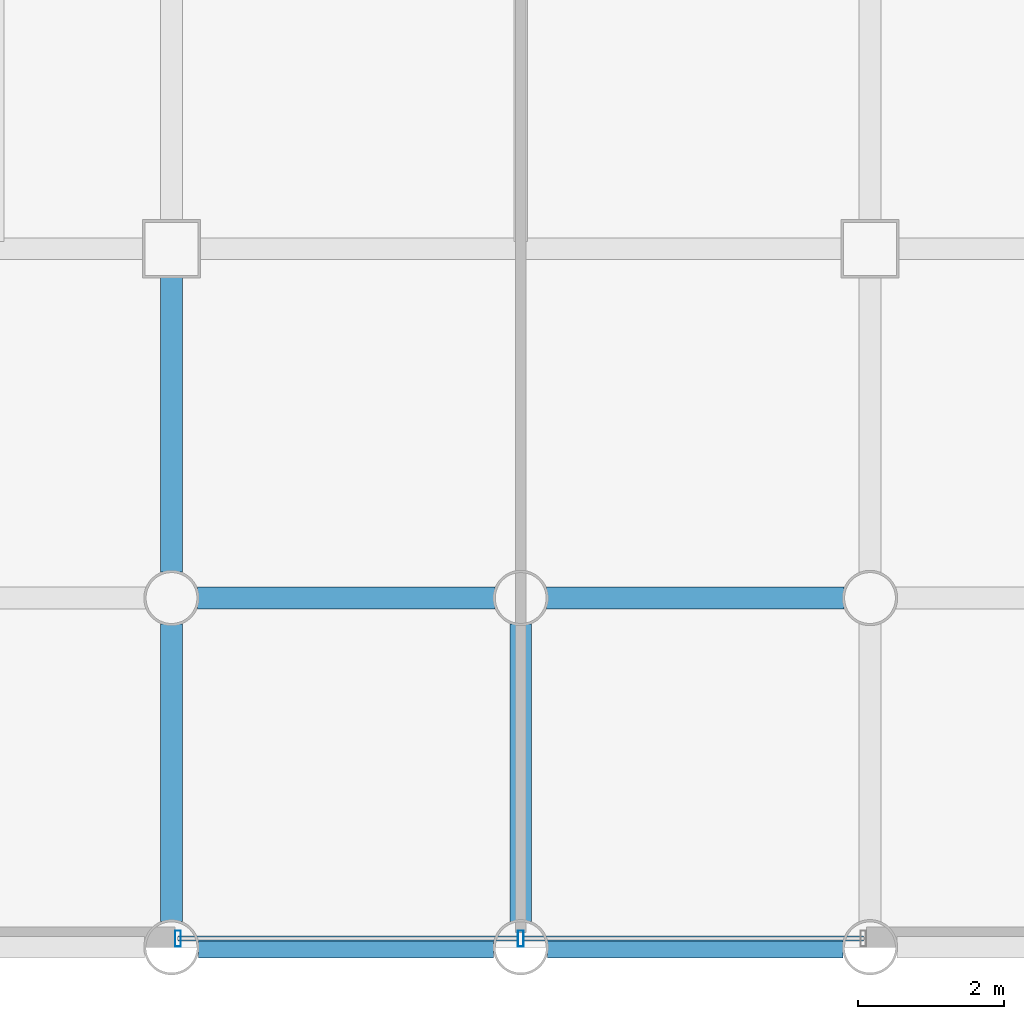
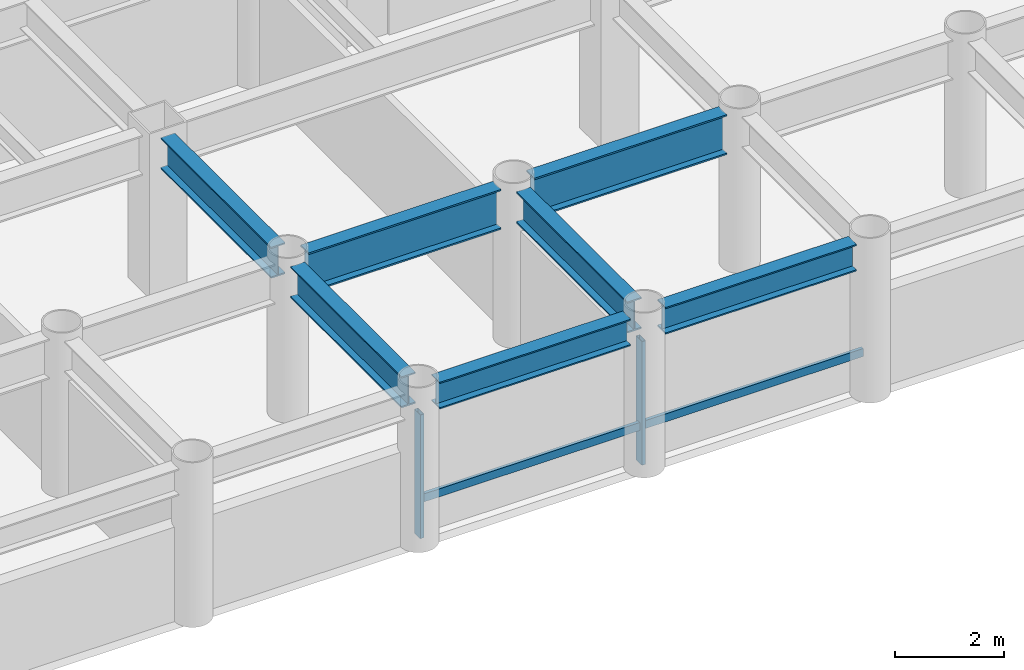
# One storey, part 2 of 19: 7 beams, 4 members, 1 element without a shape of its own.
"""IFC4 building model written with IfcOpenShell, lengths in metres."""

from ifc_helpers import new_model, si_unit, direction, frame, origin, origin_2d, place, context, subcontext, project, spatial, hollow_rectangle, i_section, extrude, material, layer, layer_set, material_profile, profile_set, type_object, element, aggregate, save


model = new_model("IFC4")

# Units and contexts
model_context = context("Model", 3, precision=1e-05, world=origin(), true_north=direction((0.0, 1.0)))
body_context = subcontext(model_context, "Body", "Model", "MODEL_VIEW")
ifc_project = project(units=[si_unit("LENGTHUNIT", "METRE"), si_unit("AREAUNIT", "SQUARE_METRE"), si_unit("VOLUMEUNIT", "CUBIC_METRE"), si_unit("PLANEANGLEUNIT", "RADIAN"), si_unit("MASSUNIT", "GRAM", prefix="KILO")], contexts=[model_context])

# Site, building, storey
site_placement = place(None, origin())
site = spatial("IfcSite", under=ifc_project, at=site_placement, CompositionType="ELEMENT")
building_placement = place(site_placement, origin())
building = spatial("IfcBuilding", under=site, at=building_placement, Name="Kallvorn Hotel Tower", CompositionType="ELEMENT")
storey_placement = place(building_placement, frame((0.0, 0.0, 67.0)))
storey = spatial("IfcBuildingStorey", under=building, at=storey_placement, Name="L15", CompositionType="ELEMENT", Elevation=67.0)

# Beams
ifc_material_1 = material(Name="Structural steel S355JR", Category="steel")
ifc_material_profile_1 = material_profile(ifc_material_1, i_section(OverallWidth=0.300048828125, OverallDepth=0.60009765625, WebThickness=0.015380859375, FlangeThickness=0.030029296875, at=origin_2d()), Name="HE 600 B")
ifc_profile_set_1 = profile_set([ifc_material_profile_1], Name="Structural steel S355JR")
beam_type_1 = type_object("IfcBeamType", Name="BM_HE600B", PredefinedType="SPANDREL", material=ifc_profile_set_1)
for number, where, z_axis, x_axis, name in (
    (1, (-4.428955078125, -24.0, 3.219970703125), (1.0, 0.0, 0.0), (0.0, 1.0, 0.0), "L16 Perimeter Spandrel 155"),
    (2, (0.37109375, -24.0, 3.219970703125), (1.0, 0.0, 0.0), (0.0, 1.0, 0.0), "L16 Perimeter Spandrel 156"),
):
    element("IfcBeam", number, at=place(storey_placement, frame(where, z_axis=z_axis, x_axis=x_axis)), inside=storey, type_object=beam_type_1, Name=name, PredefinedType="SPANDREL", context=body_context, shape_type="SweptSolid", body=[
        extrude(i_section(OverallWidth=0.300048828125, OverallDepth=0.60009765625, WebThickness=0.015380859375, FlangeThickness=0.030029296875, at=origin_2d()), origin(), (0.0, 0.0, 1.0), 4.057861328125),
    ])
ifc_material_2 = material(Name="Structural steel S355JR", Category="steel")
ifc_material_profile_2 = material_profile(ifc_material_2, i_section(OverallWidth=0.300048828125, OverallDepth=0.699951171875, WebThickness=0.01708984375, FlangeThickness=0.031982421875, at=origin_2d()), Name="HE 700 B")
ifc_profile_set_2 = profile_set([ifc_material_profile_2], Name="Structural steel S355JR")
beam_type_2 = type_object("IfcBeamType", Name="BM_HE700B", PredefinedType="BEAM", material=ifc_profile_set_2)
beam_1_placement = place(storey_placement, frame((-4.800048828125, -23.64404296875, 3.169921875), z_axis=(0.0, 1.0, 0.0), x_axis=(-1.0, 0.0, 0.0)))
element("IfcBeam", 3, at=beam_1_placement, inside=storey, type_object=beam_type_2, Name="L16 Primary Y-Girder 105", PredefinedType="BEAM", context=body_context, shape_type="SweptSolid", body=[
    extrude(i_section(OverallWidth=0.300048828125, OverallDepth=0.699951171875, WebThickness=0.01708984375, FlangeThickness=0.031982421875, at=origin_2d()), origin(), (0.0, 0.0, 1.0), 4.088134765625),
])
beam_2_placement = place(storey_placement, frame((-4.800048828125, -18.843994140625, 3.169921875), z_axis=(0.0, 1.0, 0.0), x_axis=(-1.0, 0.0, 0.0)))
element("IfcBeam", 4, at=beam_2_placement, inside=storey, type_object=beam_type_2, Name="L16 Primary Y-Girder 106", PredefinedType="BEAM", context=body_context, shape_type="SweptSolid", body=[
    extrude(i_section(OverallWidth=0.300048828125, OverallDepth=0.699951171875, WebThickness=0.01708984375, FlangeThickness=0.031982421875, at=origin_2d()), origin(), (0.0, 0.0, 1.0), 4.069091796875),
])
beam_3_placement = place(storey_placement, frame((0.0, -23.64404296875, 3.169921875), z_axis=(0.0, 1.0, 0.0), x_axis=(-1.0, 0.0, 0.0)))
element("IfcBeam", 5, at=beam_3_placement, inside=storey, type_object=beam_type_2, Name="L16 Primary Y-Girder 110", PredefinedType="BEAM", context=body_context, shape_type="SweptSolid", body=[
    extrude(i_section(OverallWidth=0.300048828125, OverallDepth=0.699951171875, WebThickness=0.01708984375, FlangeThickness=0.031982421875, at=origin_2d()), origin(), (0.0, 0.0, 1.0), 4.088134765625),
])
ifc_material_3 = material(Name="Structural steel S355JR", Category="steel")
ifc_material_profile_3 = material_profile(ifc_material_3, i_section(OverallWidth=0.300048828125, OverallDepth=0.89990234375, WebThickness=0.0185546875, FlangeThickness=0.034912109375, at=origin_2d()), Name="HE 900 B")
ifc_profile_set_3 = profile_set([ifc_material_profile_3], Name="Structural steel S355JR")
beam_type_3 = type_object("IfcBeamType", Name="BM_HE900B", PredefinedType="BEAM", material=ifc_profile_set_3)
for number, where, z_axis, x_axis, name in (
    (6, (-4.444091796875, -19.199951171875, 3.070068359375), (1.0, 0.0, 0.0), (0.0, 1.0, 0.0), "L16 Primary X-Girder 06"),
    (7, (0.35595703125, -19.199951171875, 3.070068359375), (1.0, 0.0, 0.0), (0.0, 1.0, 0.0), "L16 Primary X-Girder 07"),
):
    element("IfcBeam", number, at=place(storey_placement, frame(where, z_axis=z_axis, x_axis=x_axis)), inside=storey, type_object=beam_type_3, Name=name, PredefinedType="BEAM", context=body_context, shape_type="SweptSolid", body=[
        extrude(i_section(OverallWidth=0.300048828125, OverallDepth=0.89990234375, WebThickness=0.0185546875, FlangeThickness=0.034912109375, at=origin_2d()), origin(), (0.0, 0.0, 1.0), 4.088134765625),
    ])

# Curtain wall, members
ifc_material_4 = material(Name="Thermally broken black-anodised aluminium AA 6063-T6", Category="aluminium")
ifc_layer = layer(ifc_material_4, 0.199951171875)
ifc_layer_set = layer_set([ifc_layer], Name="CW_SYS_3_HOTEL_LOW")
curtain_wall_type = type_object("IfcCurtainWallType", Name="CW_SYS_3_HOTEL_LOW", PredefinedType="USERDEFINED", material=ifc_layer_set)
curtain_wall_placement = place(storey_placement, origin())
curtain_wall = element("IfcCurtainWall", 8, at=curtain_wall_placement, inside=storey, type_object=curtain_wall_type, Name="L15 Dark-Glass Curtain Wall CW-L15-SC", ObjectType="UNITISED CURTAIN WALL", PredefinedType="USERDEFINED")
ifc_material_5 = material(Name="Thermally broken black-anodised aluminium AA 6063-T6", Category="aluminium")
ifc_material_profile_4 = material_profile(ifc_material_5, hollow_rectangle(XDim=0.080078125, YDim=0.219970703125, WallThickness=0.0048828125, at=origin_2d()), Name="MUL 220x80")
ifc_profile_set_4 = profile_set([ifc_material_profile_4], Name="Thermally broken black-anodised aluminium AA 6063-T6")
member_type_1 = type_object("IfcMemberType", Name="CW_MULLION_220x80", PredefinedType="MULLION", material=ifc_profile_set_4)
member_1_placement = place(storey_placement, frame((-4.7099609375, -23.8798828125, 0.02001953125), z_axis=(0.0, 0.0, 1.0), x_axis=(1.0, 0.0, 0.0)))
member_1 = element("IfcMember", 9, at=member_1_placement, type_object=member_type_1, Name="CW-L15-SC Mullion 00", PredefinedType="MULLION", context=body_context, shape_type="SweptSolid", body=[
    extrude(hollow_rectangle(XDim=0.080078125, YDim=0.219970703125, WallThickness=0.0048828125, at=origin_2d()), origin(), (0.0, 0.0, 1.0), 2.780029296875),
])
member_2_placement = place(storey_placement, frame((0.0, -23.8798828125, 0.02001953125), z_axis=(0.0, 0.0, 1.0), x_axis=(1.0, 0.0, 0.0)))
member_2 = element("IfcMember", 10, at=member_2_placement, type_object=member_type_1, Name="CW-L15-SC Mullion 01", PredefinedType="MULLION", context=body_context, shape_type="SweptSolid", body=[
    extrude(hollow_rectangle(XDim=0.080078125, YDim=0.219970703125, WallThickness=0.0048828125, at=origin_2d()), origin(), (0.0, 0.0, 1.0), 2.780029296875),
])
ifc_material_6 = material(Name="Thermally broken black-anodised aluminium AA 6063-T6", Category="aluminium")
ifc_material_profile_5 = material_profile(ifc_material_6, hollow_rectangle(XDim=0.070068359375, YDim=0.179931640625, WallThickness=0.00390625, at=origin_2d()), Name="TRN 180x70")
ifc_profile_set_5 = profile_set([ifc_material_profile_5], Name="Thermally broken black-anodised aluminium AA 6063-T6")
member_type_2 = type_object("IfcMemberType", Name="CW_TRANSOM_180x70", PredefinedType="USERDEFINED", material=ifc_profile_set_5)
member_3_placement = place(storey_placement, frame((-4.7099609375, -23.8798828125, 0.85009765625), z_axis=(1.0, 0.0, 0.0), x_axis=(0.0, 1.0, 0.0)))
member_3 = element("IfcMember", 11, at=member_3_placement, type_object=member_type_2, Name="CW-L15-SC Transom 00M", ObjectType="TRANSOM", PredefinedType="USERDEFINED", context=body_context, shape_type="SweptSolid", body=[
    extrude(hollow_rectangle(XDim=0.070068359375, YDim=0.179931640625, WallThickness=0.00390625, at=origin_2d()), origin(), (0.0, 0.0, 1.0), 4.669921875),
])
member_4_placement = place(storey_placement, frame((0.0400390625, -23.8798828125, 0.85009765625), z_axis=(1.0, 0.0, 0.0), x_axis=(0.0, 1.0, 0.0)))
member_4 = element("IfcMember", 12, at=member_4_placement, type_object=member_type_2, Name="CW-L15-SC Transom 01M", ObjectType="TRANSOM", PredefinedType="USERDEFINED", context=body_context, shape_type="SweptSolid", body=[
    extrude(hollow_rectangle(XDim=0.070068359375, YDim=0.179931640625, WallThickness=0.00390625, at=origin_2d()), origin(), (0.0, 0.0, 1.0), 4.669921875),
])
aggregate(curtain_wall, [member_1, member_2, member_3, member_4])

save(model, "model.ifc")
